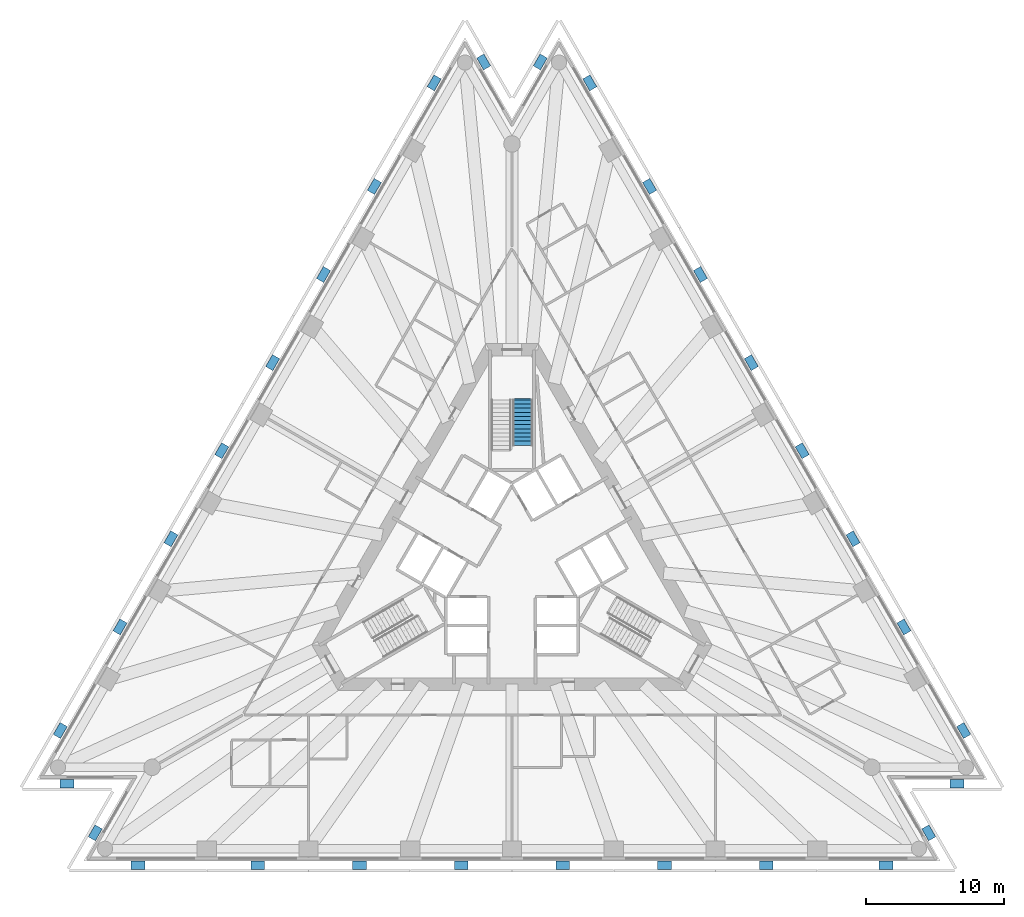
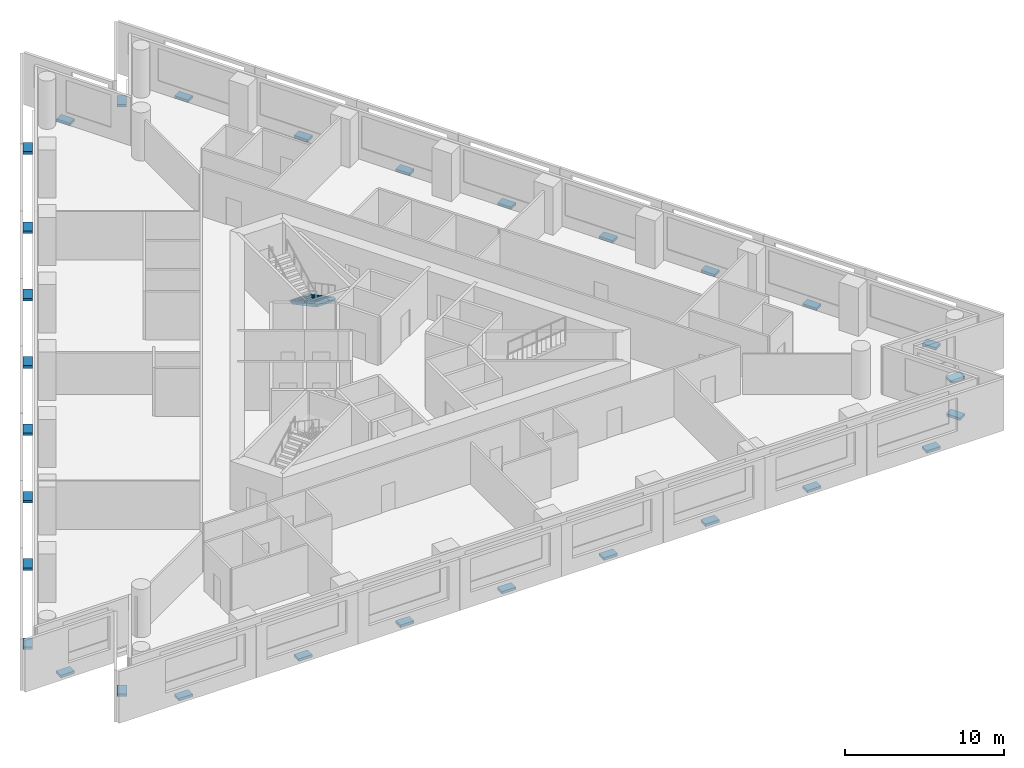
# One storey, part 9 of 11: 30 discrete accessories, 1 stair flight, 1 element without a shape of its own.
"""IFC4 building model written with IfcOpenShell, lengths in metres."""

from ifc_helpers import new_model, si_unit, direction, frame, origin, origin_2d, place, context, subcontext, project, spatial, polyline, rectangle, outline, extrude, material, type_object, element, aggregate, save


model = new_model("IFC4")

# Units and contexts
model_context = context("Model", 3, precision=1e-05, world=origin(), true_north=direction((0.0, 1.0)))
body_context = subcontext(model_context, "Body", "Model", "MODEL_VIEW")
ifc_project = project(units=[si_unit("LENGTHUNIT", "METRE"), si_unit("AREAUNIT", "SQUARE_METRE"), si_unit("VOLUMEUNIT", "CUBIC_METRE"), si_unit("PLANEANGLEUNIT", "RADIAN"), si_unit("MASSUNIT", "GRAM", prefix="KILO")], contexts=[model_context])

# Site, building, storey
site_placement = place(None, origin())
site = spatial("IfcSite", under=ifc_project, at=site_placement, CompositionType="ELEMENT")
building_placement = place(site_placement, origin())
building = spatial("IfcBuilding", under=site, at=building_placement, Name="Triada Interchange Tower", CompositionType="ELEMENT")
storey_placement = place(building_placement, frame((0.0, 0.0, 67.300048828125)))
storey = spatial("IfcBuildingStorey", under=building, at=storey_placement, Name="L14", CompositionType="ELEMENT", Elevation=67.300048828125)

# Stair, stair flight
ifc_material_1 = material(Name="Concrete C35/45", Category="concrete")
stair_type = type_object("IfcStairType", Name="HALF TURN STAIR 1400", PredefinedType="HALF_TURN_STAIR", material=ifc_material_1)
stair_placement = place(storey_placement, origin())
stair = element("IfcStair", 1, at=stair_placement, inside=storey, type_object=stair_type, Name="Exit stair S12-1", PredefinedType="HALF_TURN_STAIR")
stair_flight_type = type_object("IfcStairFlightType", Name="STRAIGHT STAIR FLIGHT 1400", PredefinedType="STRAIGHT", material=ifc_material_1)
stair_flight_placement = place(storey_placement, frame((0.800048828125, 11.60009765625, 0.0), z_axis=(0.0, 0.0, 1.0), x_axis=(0.0, -1.0, 0.0)))
stair_flight = element("IfcStairFlight", 2, at=stair_flight_placement, type_object=stair_flight_type, Name="S12-1 flight 1", NumberOfRisers=12, NumberOfTreads=11, PredefinedType="STRAIGHT", RiserHeight=0.16, TreadLength=0.3, context=body_context, shape_type="SweptSolid", body=[
    extrude(outline(polyline([(-0.10009765625, 0.0), (-0.10009765625, 0.02001953125), (0.0, 0.02001953125), (0.0, 0.159912109375), (0.300048828125, 0.159912109375), (0.300048828125, 0.320068359375), (0.60009765625, 0.320068359375), (0.60009765625, 0.47998046875), (0.89990234375, 0.47998046875), (0.89990234375, 0.639892578125), (1.199951171875, 0.639892578125), (1.199951171875, 0.800048828125), (1.5, 0.800048828125), (1.5, 0.9599609375), (1.800048828125, 0.9599609375), (1.800048828125, 1.1201171875), (2.10009765625, 1.1201171875), (2.10009765625, 1.280029296875), (2.39990234375, 1.280029296875), (2.39990234375, 1.43994140625), (2.699951171875, 1.43994140625), (2.699951171875, 1.60009765625), (3.0, 1.60009765625), (3.0, 1.760009765625), (3.300048828125, 1.760009765625), (3.303955078125, 1.760009765625), (3.303955078125, 1.919921875), (3.303955078125, 1.590087890625), (0.318603515625, 0.0), (-0.10009765625, 0.0)])), frame((0.0, 0.699951171875, 0.0), z_axis=(0.0, -1.0, 0.0), x_axis=(1.0, 0.0, 0.0)), (0.0, 0.0, 1.0), 0.46533203125),
    extrude(outline(polyline([(-0.10009765625, 0.0), (-0.10009765625, 0.02001953125), (0.0, 0.02001953125), (0.0, 0.159912109375), (0.300048828125, 0.159912109375), (0.300048828125, 0.320068359375), (0.60009765625, 0.320068359375), (0.60009765625, 0.47998046875), (0.89990234375, 0.47998046875), (0.89990234375, 0.639892578125), (1.199951171875, 0.639892578125), (1.199951171875, 0.800048828125), (1.5, 0.800048828125), (1.5, 0.9599609375), (1.800048828125, 0.9599609375), (1.800048828125, 1.1201171875), (2.10009765625, 1.1201171875), (2.10009765625, 1.280029296875), (2.39990234375, 1.280029296875), (2.39990234375, 1.43994140625), (2.699951171875, 1.43994140625), (2.699951171875, 1.60009765625), (3.0, 1.60009765625), (3.0, 1.760009765625), (3.300048828125, 1.760009765625), (3.303955078125, 1.760009765625), (3.303955078125, 1.919921875), (3.303955078125, 1.590087890625), (0.318603515625, 0.0), (-0.10009765625, 0.0)])), frame((0.0, 0.232666015625, 0.0), z_axis=(0.0, -1.0, 0.0), x_axis=(1.0, 0.0, 0.0)), (0.0, 0.0, 1.0), 0.46533203125),
    extrude(outline(polyline([(-0.10009765625, 0.0), (-0.10009765625, 0.02001953125), (0.0, 0.02001953125), (0.0, 0.159912109375), (0.300048828125, 0.159912109375), (0.300048828125, 0.320068359375), (0.60009765625, 0.320068359375), (0.60009765625, 0.47998046875), (0.89990234375, 0.47998046875), (0.89990234375, 0.639892578125), (1.199951171875, 0.639892578125), (1.199951171875, 0.800048828125), (1.5, 0.800048828125), (1.5, 0.9599609375), (1.800048828125, 0.9599609375), (1.800048828125, 1.1201171875), (2.10009765625, 1.1201171875), (2.10009765625, 1.280029296875), (2.39990234375, 1.280029296875), (2.39990234375, 1.43994140625), (2.699951171875, 1.43994140625), (2.699951171875, 1.60009765625), (3.0, 1.60009765625), (3.0, 1.760009765625), (3.300048828125, 1.760009765625), (3.303955078125, 1.760009765625), (3.303955078125, 1.919921875), (3.303955078125, 1.590087890625), (0.318603515625, 0.0), (-0.10009765625, 0.0)])), frame((0.0, -0.234619140625, 0.0), z_axis=(0.0, -1.0, 0.0), x_axis=(1.0, 0.0, 0.0)), (0.0, 0.0, 1.0), 0.46533203125),
])
aggregate(stair, [stair_flight])

# Discrete accessories
ifc_material_2 = material(Name="Steel S355", Category="steel")
discrete_accessory_type = type_object("IfcDiscreteAccessoryType", Name="Steel bracket outer skin", PredefinedType="BRACKET", material=ifc_material_2)
for number, where, z_axis, x_axis, name in (
    (3, (-5.654052734375, 34.636962890625, -0.27001953125), (0.0, 0.0, 1.0), (-0.86602214, 0.500005652997, 0.0), "Bracket L14 01"),
    (4, (-9.9990234375, 27.111083984375, -0.27001953125), (0.0, 0.0, 1.0), (-0.86602214, 0.500005652997, 0.0), "Bracket L14 02"),
    (5, (-13.695068359375, 20.7099609375, -0.27001953125), (0.0, 0.0, 1.0), (-0.86602214, 0.500005652997, 0.0), "Bracket L14 03"),
    (6, (-17.39111328125, 14.30810546875, -0.27001953125), (0.0, 0.0, 1.0), (-0.86602214, 0.500005652997, 0.0), "Bracket L14 04"),
    (7, (-21.0869140625, 7.906982421875, -0.27001953125), (0.0, 0.0, 1.0), (-0.86602214, 0.500005652997, 0.0), "Bracket L14 05"),
    (8, (-24.782958984375, 1.5048828125, -0.27001953125), (0.0, 0.0, 1.0), (-0.86602214, 0.500005652997, 0.0), "Bracket L14 06"),
    (9, (-28.47900390625, -4.89599609375, -0.27001953125), (0.0, 0.0, 1.0), (-0.86602214, 0.500005652997, 0.0), "Bracket L14 07"),
    (10, (-32.823974609375, -12.422119140625, -0.27001953125), (0.0, 0.0, 1.0), (-0.86602214, 0.500005652997, 0.0), "Bracket L14 08"),
    (11, (-32.337890625, -16.298095703125, -0.27001953125), (0.0, 0.0, 1.0), (0.0, -1.0, 0.0), "Bracket L14 09"),
    (12, (-30.282958984375, -19.85693359375, -0.27001953125), (0.0, 0.0, 1.0), (-0.866036905275, 0.499980078305, 0.0), "Bracket L14 10"),
    (13, (-27.1689453125, -22.215087890625, -0.27001953125), (0.0, 0.0, 1.0), (0.0, -1.0, 0.0), "Bracket L14 11"),
    (14, (-18.47900390625, -22.215087890625, -0.27001953125), (0.0, 0.0, 1.0), (0.0, -1.0, 0.0), "Bracket L14 12"),
    (15, (-11.0869140625, -22.215087890625, -0.27001953125), (0.0, 0.0, 1.0), (0.0, -1.0, 0.0), "Bracket L14 13"),
    (16, (-3.696044921875, -22.215087890625, -0.27001953125), (0.0, 0.0, 1.0), (0.0, -1.0, 0.0), "Bracket L14 14"),
    (17, (3.696044921875, -22.215087890625, -0.27001953125), (0.0, 0.0, 1.0), (0.0, -1.0, 0.0), "Bracket L14 15"),
    (18, (11.0869140625, -22.215087890625, -0.27001953125), (0.0, 0.0, 1.0), (0.0, -1.0, 0.0), "Bracket L14 16"),
    (19, (18.47900390625, -22.215087890625, -0.27001953125), (0.0, 0.0, 1.0), (0.0, -1.0, 0.0), "Bracket L14 17"),
    (20, (27.1689453125, -22.215087890625, -0.27001953125), (0.0, 0.0, 1.0), (0.0, -1.0, 0.0), "Bracket L14 18"),
    (21, (30.282958984375, -19.85693359375, -0.27001953125), (0.0, 0.0, 1.0), (0.866036905275, 0.499980078305, 0.0), "Bracket L14 19"),
    (22, (32.337890625, -16.298095703125, -0.27001953125), (0.0, 0.0, 1.0), (0.0, -1.0, 0.0), "Bracket L14 20"),
    (23, (32.823974609375, -12.422119140625, -0.27001953125), (0.0, 0.0, 1.0), (0.86602214, 0.500005652997, 0.0), "Bracket L14 21"),
    (24, (28.47900390625, -4.89599609375, -0.27001953125), (0.0, 0.0, 1.0), (0.86602214, 0.500005652997, 0.0), "Bracket L14 22"),
    (25, (24.782958984375, 1.5048828125, -0.27001953125), (0.0, 0.0, 1.0), (0.86602214, 0.500005652997, 0.0), "Bracket L14 23"),
    (26, (21.0869140625, 7.906982421875, -0.27001953125), (0.0, 0.0, 1.0), (0.86602214, 0.500005652997, 0.0), "Bracket L14 24"),
    (27, (17.39111328125, 14.30810546875, -0.27001953125), (0.0, 0.0, 1.0), (0.86602214, 0.500005652997, 0.0), "Bracket L14 25"),
    (28, (13.695068359375, 20.7099609375, -0.27001953125), (0.0, 0.0, 1.0), (0.86602214, 0.500005652997, 0.0), "Bracket L14 26"),
    (29, (9.9990234375, 27.111083984375, -0.27001953125), (0.0, 0.0, 1.0), (0.86602214, 0.500005652997, 0.0), "Bracket L14 27"),
    (30, (5.654052734375, 34.636962890625, -0.27001953125), (0.0, 0.0, 1.0), (0.86602214, 0.500005652997, 0.0), "Bracket L14 28"),
    (31, (2.053955078125, 36.155029296875, -0.27001953125), (0.0, 0.0, 1.0), (-0.866036905275, 0.499980078305, 0.0), "Bracket L14 29"),
    (32, (-2.053955078125, 36.155029296875, -0.27001953125), (0.0, 0.0, 1.0), (0.866036905275, 0.499980078305, 0.0), "Bracket L14 30"),
):
    element("IfcDiscreteAccessory", number, at=place(storey_placement, frame(where, z_axis=z_axis, x_axis=x_axis)), inside=storey, type_object=discrete_accessory_type, Name=name, PredefinedType="BRACKET", context=body_context, shape_type="SweptSolid", body=[
        extrude(rectangle(XDim=0.60009765625, YDim=1.0, at=origin_2d()), origin(), (0.0, 0.0, 1.0), 0.199951171875),
    ])

save(model, "model.ifc")
